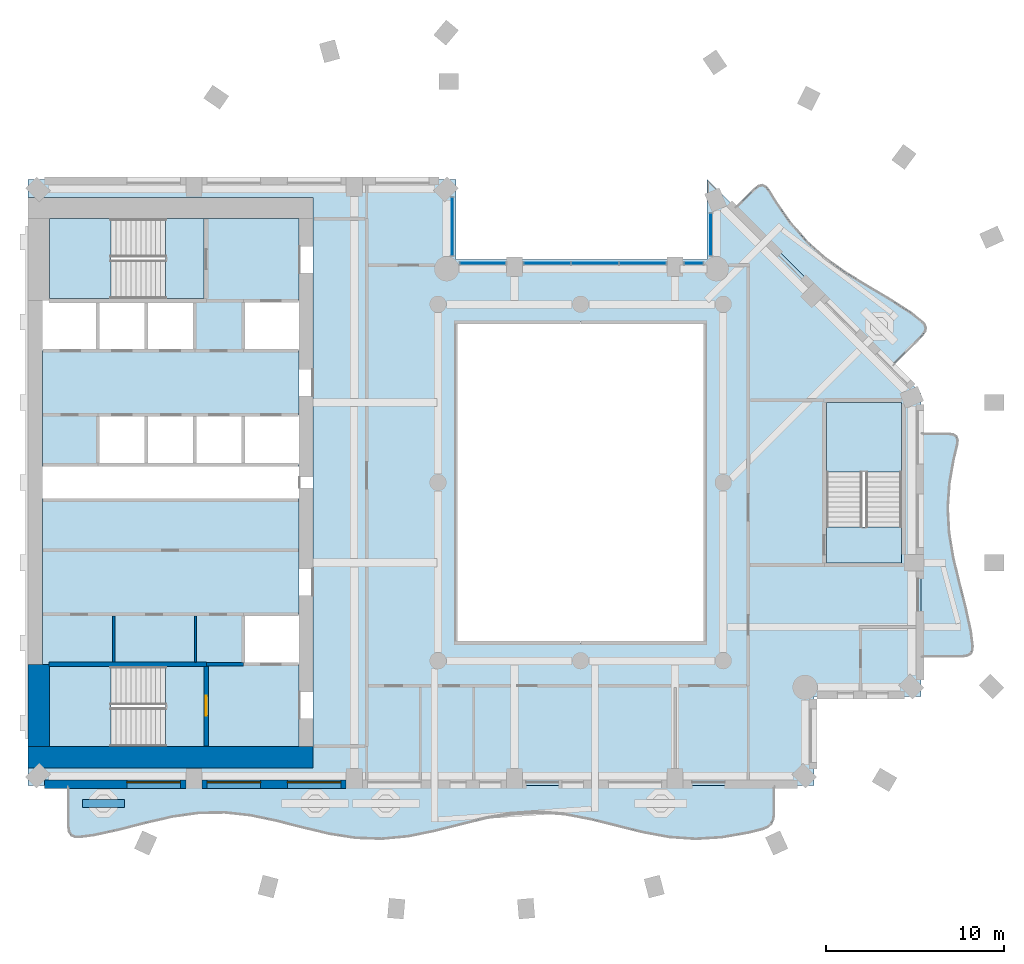
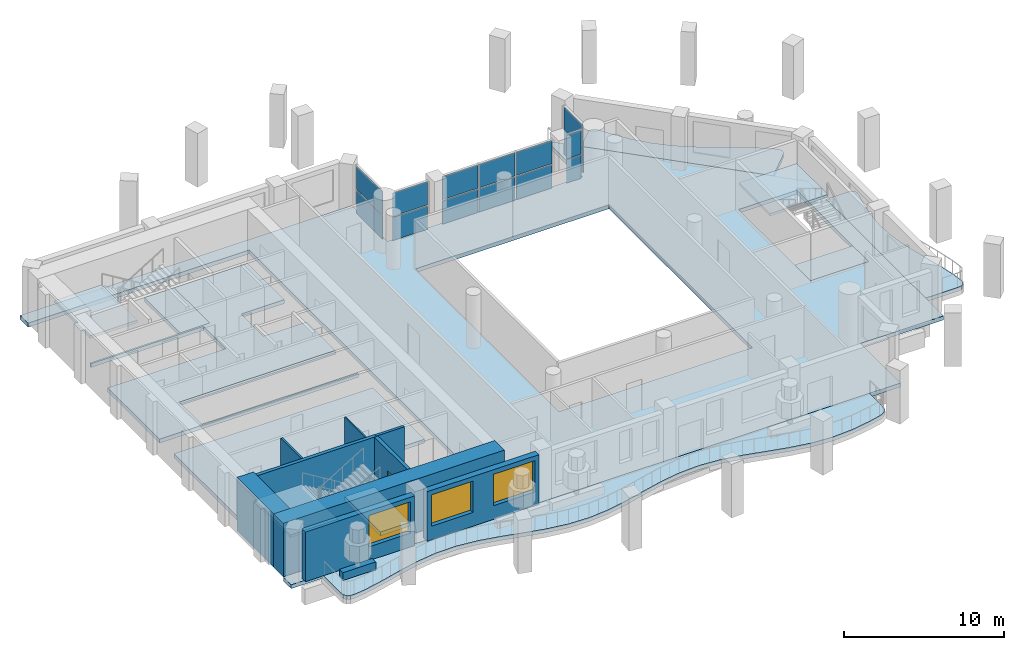
# One storey, part 3 of 14: 14 plates, 12 slabs, 10 walls, 3 windows, 1 door, 4 openings, 8 elements without a shape of their own.
"""IFC4 building model written with IfcOpenShell, lengths in metres."""

from ifc_helpers import new_model, si_unit, direction, frame, frame_2d, origin, origin_2d, place, context, subcontext, project, spatial, polyline, rectangle, outline, extrude, material, layer, layer_set, type_object, element, fill, aggregate, save


model = new_model("IFC4")

# Units and contexts
model_context = context("Model", 3, precision=1e-05, world=origin(), true_north=direction((0.0, 1.0)))
body_context = subcontext(model_context, "Body", "Model", "MODEL_VIEW")
ifc_project = project(units=[si_unit("LENGTHUNIT", "METRE"), si_unit("AREAUNIT", "SQUARE_METRE"), si_unit("VOLUMEUNIT", "CUBIC_METRE"), si_unit("PLANEANGLEUNIT", "RADIAN"), si_unit("MASSUNIT", "GRAM", prefix="KILO")], contexts=[model_context])

# Site, building, storey
site_placement = place(None, origin())
site = spatial("IfcSite", under=ifc_project, at=site_placement, CompositionType="ELEMENT")
building_placement = place(site_placement, origin())
building = spatial("IfcBuilding", under=site, at=building_placement, Name="Cypress Arch Tower", CompositionType="ELEMENT")
storey_placement = place(building_placement, frame((0.0, 0.0, 222.0)))
storey = spatial("IfcBuildingStorey", under=building, at=storey_placement, Name="L49", CompositionType="ELEMENT", Elevation=222.0)

# Slabs
ifc_material_1 = material(Name="Concrete C40/50", Category="concrete")
ifc_layer_1 = layer(ifc_material_1, 0.300048828125)
ifc_layer_set_1 = layer_set([ifc_layer_1], Name="Balcony slab BS300")
slab_type_1 = type_object("IfcSlabType", Name="Balcony slab BS300", PredefinedType="USERDEFINED", material=ifc_layer_set_1)
slab_1_placement = place(storey_placement, frame((0.0, 0.0, -0.300048828125)))
element("IfcSlab", 1, at=slab_1_placement, inside=storey, type_object=slab_type_1, Name="Balcony slab L49-B01", ObjectType="BALCONY SLAB", PredefinedType="USERDEFINED", context=body_context, shape_type="SweptSolid", body=[
    extrude(outline(polyline([(-27.75, -17.0), (-27.75, -19.3037109375), (-27.708740234375, -19.589599609375), (-27.5849609375, -19.78173828125), (-27.378662109375, -19.880126953125), (-27.090087890625, -19.884765625), (-26.283447265625, -19.78173828125), (-24.816650390625, -19.45751953125), (-23.35009765625, -19.0791015625), (-21.88330078125, -18.744140625), (-20.416748046875, -18.537841796875), (-18.949951171875, -18.513671875), (-17.4833984375, -18.677734375), (-16.0166015625, -18.987548828125), (-14.550048828125, -19.3642578125), (-13.083251953125, -19.710693359375), (-11.61669921875, -19.9384765625), (-10.14990234375, -19.989013671875), (-8.683349609375, -19.849365234375), (-7.216552734375, -19.55517578125), (-5.75, -19.18212890625), (-4.283447265625, -18.825927734375), (-2.816650390625, -18.57763671875), (-1.35009765625, -18.5009765625), (0.11669921875, -18.615966796875), (1.583251953125, -18.892578125), (3.050048828125, -19.26025390625), (4.5166015625, -19.624755859375), (5.9833984375, -19.892333984375), (7.449951171875, -19.994384765625), (8.916748046875, -19.905029296875), (10.38330078125, -19.64697265625), (11.18994140625, -19.44873046875), (11.478759765625, -19.335205078125), (11.68505859375, -19.156982421875), (11.808837890625, -18.914306640625), (11.85009765625, -18.606689453125), (11.85009765625, -17.0), (-27.75, -17.0)])), origin(), (0.0, 0.0, 1.0), 0.300048828125),
])
slab_2_placement = place(storey_placement, frame((0.0, 0.0, -0.300048828125)))
element("IfcSlab", 2, at=slab_2_placement, inside=storey, type_object=slab_type_1, Name="Balcony slab L49-B04", ObjectType="BALCONY SLAB", PredefinedType="USERDEFINED", context=body_context, shape_type="SweptSolid", body=[
    extrude(outline(polyline([(20.10009765625, -9.75), (22.439208984375, -9.75), (22.7099609375, -9.7109375), (22.89208984375, -9.59375), (22.98583984375, -9.3984375), (22.9912109375, -9.125), (22.895751953125, -8.361083984375), (22.595947265625, -6.97216796875), (22.239013671875, -5.583251953125), (21.906982421875, -4.1943359375), (21.67626953125, -2.8056640625), (21.600341796875, -1.416748046875), (21.696533203125, -0.02783203125), (21.942626953125, 1.361083984375), (22.12939453125, 2.125), (22.156005859375, 2.3984375), (22.0830078125, 2.59375), (21.91064453125, 2.7109375), (21.638671875, 2.75), (20.10009765625, 2.75), (20.10009765625, -9.75)])), origin(), (0.0, 0.0, 1.0), 0.300048828125),
])
slab_3_placement = place(storey_placement, frame((0.0, 0.0, -0.300048828125)))
element("IfcSlab", 3, at=slab_3_placement, inside=storey, type_object=slab_type_1, Name="Balcony slab L49-B05", ObjectType="BALCONY SLAB", PredefinedType="USERDEFINED", context=body_context, shape_type="SweptSolid", body=[
    extrude(outline(polyline([(18.509033203125, 6.591064453125), (20.1640625, 8.24609375), (20.32763671875, 8.464599609375), (20.37353515625, 8.67578125), (20.3017578125, 8.8798828125), (20.112548828125, 9.076416015625), (19.506591796875, 9.548095703125), (18.315673828125, 10.316650390625), (17.083984375, 11.044677734375), (15.869384765625, 11.789794921875), (14.72607421875, 12.605712890625), (13.691162109375, 13.530517578125), (12.77734375, 14.576416015625), (11.9697265625, 15.728271484375), (11.56201171875, 16.3984375), (11.387939453125, 16.60986328125), (11.198486328125, 16.696044921875), (10.994140625, 16.656982421875), (10.77490234375, 16.492919921875), (9.69091796875, 15.408935546875), (18.509033203125, 6.591064453125)])), origin(), (0.0, 0.0, 1.0), 0.300048828125),
])
ifc_material_2 = material(Name="Concrete C40/50", Category="concrete")
ifc_layer_2 = layer(ifc_material_2, 0.300048828125)
ifc_layer_set_2 = layer_set([ifc_layer_2], Name="Core floor CF300")
slab_type_2 = type_object("IfcSlabType", Name="Core floor CF300", PredefinedType="FLOOR", material=ifc_layer_set_2)
slab_4_placement = place(storey_placement, frame((0.0, 0.0, -0.300048828125)))
element("IfcSlab", 4, at=slab_4_placement, inside=storey, type_object=slab_type_2, Name="Core floor", PredefinedType="FLOOR", context=body_context, shape_type="SweptSolid", body=[
    extrude(outline(polyline([(-28.800048828125, -10.199951171875), (-29.199951171875, -10.199951171875), (-29.199951171875, -0.89990234375), (-15.199951171875, -0.89990234375), (-14.800048828125, -0.89990234375), (-14.800048828125, -7.39990234375), (-15.199951171875, -7.39990234375), (-17.919921875, -7.39990234375), (-17.919921875, -10.199951171875), (-15.199951171875, -10.199951171875), (-14.800048828125, -10.199951171875), (-14.800048828125, -14.800048828125), (-15.199951171875, -14.800048828125), (-20.125, -14.800048828125), (-20.125, -10.324951171875), (-22.27490234375, -10.324951171875), (-28.800048828125, -10.324951171875), (-28.800048828125, -10.199951171875)])), origin(), (0.0, 0.0, 1.0), 0.300048828125),
])
slab_5_placement = place(storey_placement, frame((0.0, 0.0, -0.300048828125)))
element("IfcSlab", 5, at=slab_5_placement, inside=storey, type_object=slab_type_2, Name="Core floor", PredefinedType="FLOOR", context=body_context, shape_type="SweptSolid", body=[
    extrude(outline(polyline([(-22.27490234375, -10.324951171875), (-22.27490234375, -14.800048828125), (-20.125, -14.800048828125), (-20.125, -10.324951171875), (-22.27490234375, -10.324951171875)])), origin(), (0.0, 0.0, 1.0), 0.300048828125),
])
slab_6_placement = place(storey_placement, frame((0.0, 0.0, -0.300048828125)))
element("IfcSlab", 6, at=slab_6_placement, inside=storey, type_object=slab_type_2, Name="Core floor", PredefinedType="FLOOR", context=body_context, shape_type="SweptSolid", body=[
    extrude(outline(polyline([(-20.125, 14.800048828125), (-22.27490234375, 14.800048828125), (-22.27490234375, 10.324951171875), (-20.125, 10.324951171875), (-20.125, 14.800048828125)])), origin(), (0.0, 0.0, 1.0), 0.300048828125),
])
slab_7_placement = place(storey_placement, frame((0.0, 0.0, -0.300048828125)))
element("IfcSlab", 7, at=slab_7_placement, inside=storey, type_object=slab_type_2, Name="Stair floor landing", PredefinedType="FLOOR", context=body_context, shape_type="SweptSolid", body=[
    extrude(outline(polyline([(19.0, -4.5), (19.0, -2.5), (14.800048828125, -2.5), (14.800048828125, -4.5), (19.0, -4.5)])), origin(), (0.0, 0.0, 1.0), 0.300048828125),
])
slab_8_placement = place(storey_placement, frame((0.0, 0.0, -0.300048828125)))
element("IfcSlab", 8, at=slab_8_placement, inside=storey, type_object=slab_type_2, Name="Core floor", PredefinedType="FLOOR", context=body_context, shape_type="SweptSolid", body=[
    extrude(outline(polyline([(-20.639892578125, 7.39990234375), (-20.639892578125, 10.199951171875), (-23.360107421875, 10.199951171875), (-26.080078125, 10.199951171875), (-28.800048828125, 10.199951171875), (-28.800048828125, 10.324951171875), (-22.27490234375, 10.324951171875), (-20.125, 10.324951171875), (-20.125, 14.800048828125), (-15.199951171875, 14.800048828125), (-14.800048828125, 14.800048828125), (-14.800048828125, 10.199951171875), (-15.199951171875, 10.199951171875), (-17.919921875, 10.199951171875), (-17.919921875, 7.39990234375), (-15.199951171875, 7.39990234375), (-14.800048828125, 7.39990234375), (-14.800048828125, 3.800048828125), (-15.199951171875, 3.800048828125), (-17.919921875, 3.800048828125), (-20.639892578125, 3.800048828125), (-23.360107421875, 3.800048828125), (-26.080078125, 3.800048828125), (-26.080078125, 1.5), (-26.080078125, 1.5), (-26.080078125, 1.0), (-25.679931640625, 1.0), (-23.360107421875, 1.0), (-20.639892578125, 1.0), (-17.919921875, 1.0), (-15.199951171875, 1.0), (-14.800048828125, 1.0), (-14.800048828125, 0.89990234375), (-15.199951171875, 0.89990234375), (-25.679931640625, 0.89990234375), (-26.47998046875, 0.89990234375), (-29.199951171875, 0.89990234375), (-29.199951171875, 1.5), (-29.199951171875, 7.39990234375), (-26.080078125, 7.39990234375), (-23.360107421875, 7.39990234375), (-20.639892578125, 7.39990234375)])), origin(), (0.0, 0.0, 1.0), 0.300048828125),
])

# Curtain wall, plates
ifc_material_3 = material(Name="Anodised aluminium, bronze finish, clear laminated double glazing", Category="aluminium")
curtain_wall_type = type_object("IfcCurtainWallType", Name="Curtain wall CW7 slot glazing", PredefinedType="NOTDEFINED", material=ifc_material_3)
curtain_wall_1_placement = place(storey_placement, origin())
curtain_wall_1 = element("IfcCurtainWall", 9, at=curtain_wall_1_placement, inside=storey, type_object=curtain_wall_type, Name="Curtain wall L49 slot B06.0", PredefinedType="NOTDEFINED")
ifc_material_4 = material(Name="Clear laminated double glazing", Category="glass")
ifc_layer_3 = layer(ifc_material_4, 0.0439453125)
ifc_layer_set_3 = layer_set([ifc_layer_3], Name="Glass panel CW7 44")
plate_type = type_object("IfcPlateType", Name="Glass panel CW7 44", PredefinedType="CURTAIN_PANEL", material=ifc_layer_set_3)
plate_1_placement = place(storey_placement, frame((8.300048828125, 13.912353515625, 0.0849609375), z_axis=(0.0, 0.0, 1.0), x_axis=(0.0, -1.0, 0.0)))
plate_1 = element("IfcPlate", 10, at=plate_1_placement, type_object=plate_type, Name="CW7 panel 1.1", PredefinedType="CURTAIN_PANEL", context=body_context, shape_type="SweptSolid", body=[
    extrude(rectangle(XDim=2.345458984375, YDim=0.0439453125, at=origin_2d()), origin(), (0.0, 0.0, 1.0), 1.7724609375),
])
plate_2_placement = place(storey_placement, frame((8.300048828125, 13.912353515625, 1.942626953125), z_axis=(0.0, 0.0, 1.0), x_axis=(0.0, -1.0, 0.0)))
plate_2 = element("IfcPlate", 11, at=plate_2_placement, type_object=plate_type, Name="CW7 panel 1.2", PredefinedType="CURTAIN_PANEL", context=body_context, shape_type="SweptSolid", body=[
    extrude(rectangle(XDim=2.345458984375, YDim=0.0439453125, at=origin_2d()), origin(), (0.0, 0.0, 1.0), 1.7724609375),
])
aggregate(curtain_wall_1, [plate_1, plate_2])

curtain_wall_2_placement = place(storey_placement, origin())
curtain_wall_2 = element("IfcCurtainWall", 12, at=curtain_wall_2_placement, inside=storey, type_object=curtain_wall_type, Name="Curtain wall L49 slot B07.0", PredefinedType="NOTDEFINED")
plate_3_placement = place(storey_placement, frame((7.34765625, 12.300048828125, 0.0849609375), z_axis=(0.0, 0.0, 1.0), x_axis=(-1.0, 0.0, 0.0)))
plate_3 = element("IfcPlate", 13, at=plate_3_placement, type_object=plate_type, Name="CW7 panel 1.1", PredefinedType="CURTAIN_PANEL", context=body_context, shape_type="SweptSolid", body=[
    extrude(rectangle(XDim=1.025390625, YDim=0.0439453125, at=origin_2d()), origin(), (0.0, 0.0, 1.0), 1.7724609375),
])
plate_4_placement = place(storey_placement, frame((7.34765625, 12.300048828125, 1.942626953125), z_axis=(0.0, 0.0, 1.0), x_axis=(-1.0, 0.0, 0.0)))
plate_4 = element("IfcPlate", 14, at=plate_4_placement, type_object=plate_type, Name="CW7 panel 1.2", PredefinedType="CURTAIN_PANEL", context=body_context, shape_type="SweptSolid", body=[
    extrude(rectangle(XDim=1.025390625, YDim=0.0439453125, at=origin_2d()), origin(), (0.0, 0.0, 1.0), 1.7724609375),
])
aggregate(curtain_wall_2, [plate_3, plate_4])

curtain_wall_3_placement = place(storey_placement, origin())
curtain_wall_3 = element("IfcCurtainWall", 15, at=curtain_wall_3_placement, inside=storey, type_object=curtain_wall_type, Name="Curtain wall L49 slot B07.1", PredefinedType="NOTDEFINED")
plate_5_placement = place(storey_placement, frame((4.478759765625, 12.300048828125, 0.0849609375), z_axis=(0.0, 0.0, 1.0), x_axis=(-1.0, 0.0, 0.0)))
plate_5 = element("IfcPlate", 16, at=plate_5_placement, type_object=plate_type, Name="CW7 panel 1.1", PredefinedType="CURTAIN_PANEL", context=body_context, shape_type="SweptSolid", body=[
    extrude(rectangle(XDim=2.572509765625, YDim=0.0439453125, at=origin_2d()), origin(), (0.0, 0.0, 1.0), 1.7724609375),
])
plate_6_placement = place(storey_placement, frame((4.478759765625, 12.300048828125, 1.942626953125), z_axis=(0.0, 0.0, 1.0), x_axis=(-1.0, 0.0, 0.0)))
plate_6 = element("IfcPlate", 17, at=plate_6_placement, type_object=plate_type, Name="CW7 panel 1.2", PredefinedType="CURTAIN_PANEL", context=body_context, shape_type="SweptSolid", body=[
    extrude(rectangle(XDim=2.572509765625, YDim=0.0439453125, at=origin_2d()), origin(), (0.0, 0.0, 1.0), 1.7724609375),
])
plate_7_placement = place(storey_placement, frame((1.800048828125, 12.300048828125, 0.0849609375), z_axis=(0.0, 0.0, 1.0), x_axis=(-1.0, 0.0, 0.0)))
plate_7 = element("IfcPlate", 18, at=plate_7_placement, type_object=plate_type, Name="CW7 panel 2.1", PredefinedType="CURTAIN_PANEL", context=body_context, shape_type="SweptSolid", body=[
    extrude(rectangle(XDim=2.614990234375, YDim=0.0439453125, at=origin_2d()), origin(), (0.0, 0.0, 1.0), 1.7724609375),
])
plate_8_placement = place(storey_placement, frame((1.800048828125, 12.300048828125, 1.942626953125), z_axis=(0.0, 0.0, 1.0), x_axis=(-1.0, 0.0, 0.0)))
plate_8 = element("IfcPlate", 19, at=plate_8_placement, type_object=plate_type, Name="CW7 panel 2.2", PredefinedType="CURTAIN_PANEL", context=body_context, shape_type="SweptSolid", body=[
    extrude(rectangle(XDim=2.614990234375, YDim=0.0439453125, at=origin_2d()), origin(), (0.0, 0.0, 1.0), 1.7724609375),
])
plate_9_placement = place(storey_placement, frame((-0.878662109375, 12.300048828125, 0.0849609375), z_axis=(0.0, 0.0, 1.0), x_axis=(-1.0, 0.0, 0.0)))
plate_9 = element("IfcPlate", 20, at=plate_9_placement, type_object=plate_type, Name="CW7 panel 3.1", PredefinedType="CURTAIN_PANEL", context=body_context, shape_type="SweptSolid", body=[
    extrude(rectangle(XDim=2.572509765625, YDim=0.0439453125, at=origin_2d()), origin(), (0.0, 0.0, 1.0), 1.7724609375),
])
plate_10_placement = place(storey_placement, frame((-0.878662109375, 12.300048828125, 1.942626953125), z_axis=(0.0, 0.0, 1.0), x_axis=(-1.0, 0.0, 0.0)))
plate_10 = element("IfcPlate", 21, at=plate_10_placement, type_object=plate_type, Name="CW7 panel 3.2", PredefinedType="CURTAIN_PANEL", context=body_context, shape_type="SweptSolid", body=[
    extrude(rectangle(XDim=2.572509765625, YDim=0.0439453125, at=origin_2d()), origin(), (0.0, 0.0, 1.0), 1.7724609375),
])
aggregate(curtain_wall_3, [plate_5, plate_6, plate_7, plate_8, plate_9, plate_10])

curtain_wall_4_placement = place(storey_placement, origin())
curtain_wall_4 = element("IfcCurtainWall", 22, at=curtain_wall_4_placement, inside=storey, type_object=curtain_wall_type, Name="Curtain wall L49 slot B07.2", PredefinedType="NOTDEFINED")
plate_11_placement = place(storey_placement, frame((-4.497802734375, 12.300048828125, 0.0849609375), z_axis=(0.0, 0.0, 1.0), x_axis=(-1.0, 0.0, 0.0)))
plate_11 = element("IfcPlate", 23, at=plate_11_placement, type_object=plate_type, Name="CW7 panel 1.1", PredefinedType="CURTAIN_PANEL", context=body_context, shape_type="SweptSolid", body=[
    extrude(rectangle(XDim=2.525390625, YDim=0.0439453125, at=origin_2d()), origin(), (0.0, 0.0, 1.0), 1.7724609375),
])
plate_12_placement = place(storey_placement, frame((-4.497802734375, 12.300048828125, 1.942626953125), z_axis=(0.0, 0.0, 1.0), x_axis=(-1.0, 0.0, 0.0)))
plate_12 = element("IfcPlate", 24, at=plate_12_placement, type_object=plate_type, Name="CW7 panel 1.2", PredefinedType="CURTAIN_PANEL", context=body_context, shape_type="SweptSolid", body=[
    extrude(rectangle(XDim=2.525390625, YDim=0.0439453125, at=origin_2d()), origin(), (0.0, 0.0, 1.0), 1.7724609375),
])
aggregate(curtain_wall_4, [plate_11, plate_12])

curtain_wall_5_placement = place(storey_placement, origin())
curtain_wall_5 = element("IfcCurtainWall", 25, at=curtain_wall_5_placement, inside=storey, type_object=curtain_wall_type, Name="Curtain wall L49 slot B08.0", PredefinedType="NOTDEFINED")
plate_13_placement = place(storey_placement, frame((-6.199951171875, 14.359130859375, 0.0849609375), z_axis=(0.0, 0.0, 1.0), x_axis=(0.0, 1.0, 0.0)))
plate_13 = element("IfcPlate", 26, at=plate_13_placement, type_object=plate_type, Name="CW7 panel 1.1", PredefinedType="CURTAIN_PANEL", context=body_context, shape_type="SweptSolid", body=[
    extrude(rectangle(XDim=3.239013671875, YDim=0.0439453125, at=origin_2d()), origin(), (0.0, 0.0, 1.0), 1.7724609375),
])
plate_14_placement = place(storey_placement, frame((-6.199951171875, 14.359130859375, 1.942626953125), z_axis=(0.0, 0.0, 1.0), x_axis=(0.0, 1.0, 0.0)))
plate_14 = element("IfcPlate", 27, at=plate_14_placement, type_object=plate_type, Name="CW7 panel 1.2", PredefinedType="CURTAIN_PANEL", context=body_context, shape_type="SweptSolid", body=[
    extrude(rectangle(XDim=3.239013671875, YDim=0.0439453125, at=origin_2d()), origin(), (0.0, 0.0, 1.0), 1.7724609375),
])
aggregate(curtain_wall_5, [plate_13, plate_14])

# Slab
ifc_material_5 = material(Name="Concrete C40/50", Category="concrete")
ifc_layer_4 = layer(ifc_material_5, 0.300048828125)
ifc_layer_set_4 = layer_set([ifc_layer_4], Name="PT flat slab 300 Concrete C40/50")
slab_type_3 = type_object("IfcSlabType", Name="PT flat slab 300 Concrete C40/50", PredefinedType="FLOOR", material=ifc_layer_set_4)
slab_9_placement = place(storey_placement, frame((0.0, 0.0, -0.300048828125)))
element("IfcSlab", 28, at=slab_9_placement, inside=storey, type_object=slab_type_3, Name="Floor slab L49", PredefinedType="FLOOR", context=body_context, shape_type="SweptSolid", body=[
    extrude(outline(polyline([(-30.0, 17.0), (-6.0, 17.0), (-6.0, 12.5), (8.10009765625, 12.5), (8.10009765625, 17.0), (20.10009765625, 5.0), (20.10009765625, -12.0), (14.10009765625, -12.0), (14.10009765625, -17.0), (-30.0, -17.0), (-30.0, -16.0), (-14.0, -16.0), (-14.0, 16.0), (-30.0, 16.0), (-30.0, 17.0)]), holes=[polyline([(-6.0, -9.0), (8.0, -9.0), (8.0, 9.0), (-6.0, 9.0), (-6.0, -9.0)]), polyline([(14.800048828125, -4.5), (19.0, -4.5), (19.0, 4.5), (14.800048828125, 4.5), (14.800048828125, -4.5)])]), origin(), (0.0, 0.0, 1.0), 0.300048828125),
])

# Stair, slab
ifc_material_6 = material(Name="Concrete C40/50", Category="concrete")
stair_type_1 = type_object("IfcStairType", Name="Exit stair ES1708-215", PredefinedType="HALF_TURN_STAIR", material=ifc_material_6)
stair_1_placement = place(storey_placement, origin())
stair_1 = element("IfcStair", 29, at=stair_1_placement, inside=storey, type_object=stair_type_1, Name="L49 Exit stair A", PredefinedType="HALF_TURN_STAIR")
ifc_material_7 = material(Name="Concrete C40/50", Category="concrete")
ifc_layer_5 = layer(ifc_material_7, 0.199951171875)
ifc_layer_set_5 = layer_set([ifc_layer_5], Name="Stair landing SL200")
slab_type_4 = type_object("IfcSlabType", Name="Stair landing SL200", PredefinedType="LANDING", material=ifc_layer_set_5)
slab_10_placement = place(storey_placement, frame((0.0, 0.0, 1.85009765625)))
slab_10 = element("IfcSlab", 30, at=slab_10_placement, type_object=slab_type_4, Name="A landing 1", PredefinedType="LANDING", context=body_context, shape_type="SweptSolid", body=[
    extrude(outline(polyline([(-25.35498046875, -10.324951171875), (-28.800048828125, -10.324951171875), (-28.800048828125, -14.800048828125), (-25.35498046875, -14.800048828125), (-25.35498046875, -10.324951171875)])), origin(), (0.0, 0.0, 1.0), 0.199951171875),
])
aggregate(stair_1, [slab_10])

stair_2_placement = place(storey_placement, origin())
stair_2 = element("IfcStair", 31, at=stair_2_placement, inside=storey, type_object=stair_type_1, Name="L49 Exit stair B", PredefinedType="HALF_TURN_STAIR")
slab_11_placement = place(storey_placement, frame((0.0, 0.0, 1.85009765625)))
slab_11 = element("IfcSlab", 32, at=slab_11_placement, type_object=slab_type_4, Name="B landing 1", PredefinedType="LANDING", context=body_context, shape_type="SweptSolid", body=[
    extrude(outline(polyline([(-25.35498046875, 14.800048828125), (-28.800048828125, 14.800048828125), (-28.800048828125, 10.324951171875), (-25.35498046875, 10.324951171875), (-25.35498046875, 14.800048828125)])), origin(), (0.0, 0.0, 1.0), 0.199951171875),
])
aggregate(stair_2, [slab_11])

ifc_material_8 = material(Name="Concrete C40/50", Category="concrete")
stair_type_2 = type_object("IfcStairType", Name="Exit stair ES1708-200", PredefinedType="HALF_TURN_STAIR", material=ifc_material_8)
stair_3_placement = place(storey_placement, origin())
stair_3 = element("IfcStair", 33, at=stair_3_placement, inside=storey, type_object=stair_type_2, Name="L49 Exit stair C", PredefinedType="HALF_TURN_STAIR")
slab_12_placement = place(storey_placement, frame((0.0, 0.0, 1.85009765625)))
slab_12 = element("IfcSlab", 34, at=slab_12_placement, type_object=slab_type_4, Name="C landing 1", PredefinedType="LANDING", context=body_context, shape_type="SweptSolid", body=[
    extrude(outline(polyline([(19.0, 0.580078125), (19.0, 4.5), (14.800048828125, 4.5), (14.800048828125, 0.580078125), (19.0, 0.580078125)])), origin(), (0.0, 0.0, 1.0), 0.199951171875),
])
aggregate(stair_3, [slab_12])

# Wall
ifc_material_9 = material(Name="Concrete C40/50, waterproofed", Category="concrete")
ifc_layer_6 = layer(ifc_material_9, 0.449951171875)
ifc_layer_set_6 = layer_set([ifc_layer_6], Name="Balcony planter wall PW450")
wall_type_1 = type_object("IfcWallType", Name="Balcony planter wall PW450", PredefinedType="SOLIDWALL", material=ifc_layer_set_6)
wall_1_placement = place(storey_placement, frame((-26.949951171875, -18.0, 0.0), z_axis=(0.0, 0.0, 1.0), x_axis=(1.0, 0.0, 0.0)))
element("IfcWall", 35, at=wall_1_placement, inside=storey, type_object=wall_type_1, Name="Balcony planter wall L49-B01.1", PredefinedType="SOLIDWALL", context=body_context, shape_type="SweptSolid", body=[
    extrude(rectangle(XDim=2.35986328125, YDim=0.449951171875, at=frame_2d((1.179931640625, 0.0))), origin(), (0.0, 0.0, 1.0), 0.60009765625),
])

# Wall, opening, window
ifc_material_10 = material(Name="Brick (red buff blend)", Category="masonry")
ifc_layer_7 = layer(ifc_material_10, 0.449951171875)
ifc_layer_set_7 = layer_set([ifc_layer_7], Name="Brick pier and spandrel wall BW450")
wall_type_2 = type_object("IfcWallType", Name="Brick pier and spandrel wall BW450", PredefinedType="SOLIDWALL", material=ifc_layer_set_7)
wall_2_placement = place(storey_placement, frame((-29.063720703125, -16.925048828125, 0.0), z_axis=(0.0, 0.0, 1.0), x_axis=(1.0, 0.0, 0.0)))
wall_2 = element("IfcWall", 36, at=wall_2_placement, inside=storey, type_object=wall_type_2, Name="Brick wall L49 B01.0", PredefinedType="SOLIDWALL", context=body_context, shape_type="SweptSolid", body=[
    extrude(rectangle(XDim=7.913818359375, YDim=0.449951171875, at=frame_2d((3.95703125, 0.0))), origin(), (0.0, 0.0, 1.0), 3.800048828125),
])
opening_1_placement = place(wall_2_placement, frame((4.613525390625, 0.0, 1.050048828125)))
opening_1 = element("IfcOpeningElement", 37, at=opening_1_placement, cuts=wall_2, Name="Opening W300OD", PredefinedType="OPENING", context=body_context, shape_type="SweptSolid", body=[
    extrude(rectangle(XDim=3.0, YDim=2.39990234375, at=frame_2d((1.5, 1.199951171875))), frame((0.0, 0.23486328125, 0.0), z_axis=(0.0, -1.0, 0.0), x_axis=(1.0, 0.0, 0.0)), (0.0, 0.0, 1.0), 0.469970703125),
])
ifc_material_11 = material(Name="Anodised aluminium, bronze finish, laminated low-emissivity double glazing, large-missile impact rated", Category="aluminium")
window_type = type_object("IfcWindowType", Name="Window Office 3000x2400 debris-rated", PartitioningType="SINGLE_PANEL", PredefinedType="WINDOW", material=ifc_material_11)
window_1_placement = place(opening_1_placement, origin())
window_1 = element("IfcWindow", 38, at=window_1_placement, inside=storey, type_object=window_type, Name="Window L49 B01.0.2", OverallHeight=2.39990234375, OverallWidth=3.0, PartitioningType="SINGLE_PANEL", PredefinedType="WINDOW", context=body_context, shape_type="SweptSolid", body=[
    extrude(rectangle(XDim=3.0, YDim=2.39990234375, at=frame_2d((1.5, 1.199951171875))), frame((0.0, 0.135009765625, 0.0), z_axis=(0.0, -1.0, 0.0), x_axis=(1.0, 0.0, 0.0)), (0.0, 0.0, 1.0), 0.06005859375),
])
fill(opening_1, window_1)

# Wall, openings, windows
wall_3_placement = place(storey_placement, frame((-20.25, -16.925048828125, 0.0), z_axis=(0.0, 0.0, 1.0), x_axis=(1.0, 0.0, 0.0)))
wall_3 = element("IfcWall", 39, at=wall_3_placement, inside=storey, type_object=wall_type_2, Name="Brick wall L49 B01.1", PredefinedType="SOLIDWALL", context=body_context, shape_type="SweptSolid", body=[
    extrude(rectangle(XDim=8.10009765625, YDim=0.449951171875, at=frame_2d((4.050048828125, 0.0))), origin(), (0.0, 0.0, 1.0), 3.800048828125),
])
opening_2_placement = place(wall_3_placement, frame((0.300048828125, 0.0, 1.050048828125)))
opening_2 = element("IfcOpeningElement", 40, at=opening_2_placement, cuts=wall_3, Name="Opening W300OD", PredefinedType="OPENING", context=body_context, shape_type="SweptSolid", body=[
    extrude(rectangle(XDim=3.0, YDim=2.39990234375, at=frame_2d((1.5, 1.199951171875))), frame((0.0, 0.23486328125, 0.0), z_axis=(0.0, -1.0, 0.0), x_axis=(1.0, 0.0, 0.0)), (0.0, 0.0, 1.0), 0.469970703125),
])
opening_3_placement = place(wall_3_placement, frame((4.800048828125, 0.0, 1.050048828125)))
opening_3 = element("IfcOpeningElement", 41, at=opening_3_placement, cuts=wall_3, Name="Opening W300OD", PredefinedType="OPENING", context=body_context, shape_type="SweptSolid", body=[
    extrude(rectangle(XDim=3.0, YDim=2.39990234375, at=frame_2d((1.5, 1.199951171875))), frame((0.0, 0.23486328125, 0.0), z_axis=(0.0, -1.0, 0.0), x_axis=(1.0, 0.0, 0.0)), (0.0, 0.0, 1.0), 0.469970703125),
])
window_2_placement = place(opening_2_placement, origin())
window_2 = element("IfcWindow", 42, at=window_2_placement, inside=storey, type_object=window_type, Name="Window L49 B01.1.1", OverallHeight=2.39990234375, OverallWidth=3.0, PartitioningType="SINGLE_PANEL", PredefinedType="WINDOW", context=body_context, shape_type="SweptSolid", body=[
    extrude(rectangle(XDim=3.0, YDim=2.39990234375, at=frame_2d((1.5, 1.199951171875))), frame((0.0, 0.135009765625, 0.0), z_axis=(0.0, -1.0, 0.0), x_axis=(1.0, 0.0, 0.0)), (0.0, 0.0, 1.0), 0.06005859375),
])
fill(opening_2, window_2)
window_3_placement = place(opening_3_placement, origin())
window_3 = element("IfcWindow", 43, at=window_3_placement, inside=storey, type_object=window_type, Name="Window L49 B01.1.2", OverallHeight=2.39990234375, OverallWidth=3.0, PartitioningType="SINGLE_PANEL", PredefinedType="WINDOW", context=body_context, shape_type="SweptSolid", body=[
    extrude(rectangle(XDim=3.0, YDim=2.39990234375, at=frame_2d((1.5, 1.199951171875))), frame((0.0, 0.135009765625, 0.0), z_axis=(0.0, -1.0, 0.0), x_axis=(1.0, 0.0, 0.0)), (0.0, 0.0, 1.0), 0.06005859375),
])
fill(opening_3, window_3)

# Walls
ifc_material_12 = material(Name="Concrete C70/85", Category="concrete")
ifc_layer_8 = layer(ifc_material_12, 1.199951171875)
ifc_layer_set_8 = layer_set([ifc_layer_8], Name="Core wall CW1200 C70/85")
wall_type_3 = type_object("IfcWallType", Name="Core wall CW1200 C70/85", PredefinedType="SHEAR", material=ifc_layer_set_8)
wall_4_placement = place(storey_placement, frame((-30.0, -15.39990234375, 0.0), z_axis=(0.0, 0.0, 1.0), x_axis=(1.0, 0.0, 0.0)))
element("IfcWall", 44, at=wall_4_placement, inside=storey, type_object=wall_type_3, Name="Core wall", PredefinedType="SHEAR", context=body_context, shape_type="SweptSolid", body=[
    extrude(rectangle(XDim=16.0, YDim=1.199951171875, at=frame_2d((8.0, 0.0))), origin(), (0.0, 0.0, 1.0), 4.10009765625),
])
wall_5_placement = place(storey_placement, frame((-29.39990234375, -14.800048828125, 0.0), z_axis=(0.0, 0.0, 1.0), x_axis=(0.0, 1.0, 0.0)))
element("IfcWall", 45, at=wall_5_placement, inside=storey, type_object=wall_type_3, Name="Core wall", PredefinedType="SHEAR", context=body_context, shape_type="SweptSolid", body=[
    extrude(rectangle(XDim=4.60009765625, YDim=1.199951171875, at=frame_2d((2.300048828125, 0.0))), origin(), (0.0, 0.0, 1.0), 4.10009765625),
])
ifc_material_13 = material(Name="Concrete blockwork, plastered, rated", Category="masonry")
ifc_layer_9 = layer(ifc_material_13, 0.199951171875)
ifc_layer_set_9 = layer_set([ifc_layer_9], Name="Corridor wall FW200")
wall_type_4 = type_object("IfcWallType", Name="Corridor wall FW200", PredefinedType="PARTITIONING", material=ifc_layer_set_9)
wall_6_placement = place(storey_placement, frame((-20.0, -10.199951171875, 0.0), z_axis=(0.0, 0.0, 1.0), x_axis=(1.0, 0.0, 0.0)))
element("IfcWall", 46, at=wall_6_placement, inside=storey, type_object=wall_type_4, Name="Corridor wall", PredefinedType="PARTITIONING", context=body_context, shape_type="SweptSolid", body=[
    extrude(rectangle(XDim=2.080078125, YDim=0.199951171875, at=frame_2d((1.0400390625, 0.0))), origin(), (0.0, 0.0, 1.0), 3.800048828125),
])
ifc_material_14 = material(Name="Blockwork, plastered both sides", Category="masonry")
ifc_layer_10 = layer(ifc_material_14, 0.14990234375)
ifc_layer_set_10 = layer_set([ifc_layer_10], Name="Partition PW150")
wall_type_5 = type_object("IfcWallType", Name="Partition PW150", PredefinedType="PARTITIONING", material=ifc_layer_set_10)
wall_7_placement = place(storey_placement, frame((-25.199951171875, -10.074951171875, 0.0), z_axis=(0.0, 0.0, 1.0), x_axis=(0.0, 1.0, 0.0)))
element("IfcWall", 47, at=wall_7_placement, inside=storey, type_object=wall_type_5, Name="Partition", PredefinedType="PARTITIONING", context=body_context, shape_type="SweptSolid", body=[
    extrude(rectangle(XDim=2.574951171875, YDim=0.14990234375, at=frame_2d((1.28759765625, 0.0))), origin(), (0.0, 0.0, 1.0), 3.800048828125),
])
ifc_material_15 = material(Name="Concrete C50/60", Category="concrete")
ifc_layer_11 = layer(ifc_material_15, 0.25)
ifc_layer_set_11 = layer_set([ifc_layer_11], Name="Stair enclosure wall SW250")
wall_type_6 = type_object("IfcWallType", Name="Stair enclosure wall SW250", PredefinedType="SHEAR", material=ifc_layer_set_11)
wall_8_placement = place(storey_placement, frame((-28.81005859375, -10.199951171875, 0.0), z_axis=(0.0, 0.0, 1.0), x_axis=(1.0, 0.0, 0.0)))
element("IfcWall", 48, at=wall_8_placement, inside=storey, type_object=wall_type_6, Name="Stair enclosure wall", PredefinedType="SHEAR", context=body_context, shape_type="SweptSolid", body=[
    extrude(rectangle(XDim=8.81005859375, YDim=0.25, at=frame_2d((4.405029296875, 0.0))), origin(), (0.0, 0.0, 1.0), 3.800048828125),
])

# Wall, opening, door
wall_9_placement = place(storey_placement, frame((-20.0, -14.77001953125, 0.0), z_axis=(0.0, 0.0, 1.0), x_axis=(0.0, 1.0, 0.0)))
wall_9 = element("IfcWall", 49, at=wall_9_placement, inside=storey, type_object=wall_type_6, Name="Stair enclosure wall", PredefinedType="SHEAR", context=body_context, shape_type="SweptSolid", body=[
    extrude(rectangle(XDim=4.445068359375, YDim=0.25, at=frame_2d((2.22265625, 0.0))), origin(), (0.0, 0.0, 1.0), 3.800048828125),
])
opening_4_placement = place(wall_9_placement, frame((1.699951171875, 0.0, 0.0)))
opening_4 = element("IfcOpeningElement", 50, at=opening_4_placement, cuts=wall_9, Name="Opening D06", PredefinedType="OPENING", context=body_context, shape_type="SweptSolid", body=[
    extrude(rectangle(XDim=1.10009765625, YDim=2.199951171875, at=frame_2d((0.550048828125, 1.10009765625))), frame((0.0, 0.135009765625, 0.0), z_axis=(0.0, -1.0, 0.0), x_axis=(1.0, 0.0, 0.0)), (0.0, 0.0, 1.0), 0.27001953125),
])
ifc_material_16 = material(Name="Steel door, fire resisting, panic bar", Category="steel")
door_type = type_object("IfcDoorType", Name="Stair door D06 1100x2200", OperationType="SINGLE_SWING_LEFT", PredefinedType="DOOR", material=ifc_material_16)
door_placement = place(opening_4_placement, origin())
door = element("IfcDoor", 51, at=door_placement, inside=storey, type_object=door_type, Name="Stair door", OperationType="SINGLE_SWING_RIGHT", OverallHeight=2.199951171875, OverallWidth=1.10009765625, PredefinedType="DOOR", context=body_context, shape_type="SweptSolid", body=[
    extrude(rectangle(XDim=1.10009765625, YDim=2.199951171875, at=frame_2d((0.550048828125, 1.10009765625))), frame((0.0, 0.02490234375, 0.0), z_axis=(0.0, -1.0, 0.0), x_axis=(1.0, 0.0, 0.0)), (0.0, 0.0, 1.0), 0.050048828125),
])
fill(opening_4, door)

# Wall
ifc_material_17 = material(Name="Moisture resistant board on steel studs, tiled", Category="steel")
ifc_layer_12 = layer(ifc_material_17, 0.10009765625)
ifc_layer_set_12 = layer_set([ifc_layer_12], Name="Wet wall PW100")
wall_type_7 = type_object("IfcWallType", Name="Wet wall PW100", PredefinedType="PARTITIONING", material=ifc_layer_set_12)
wall_10_placement = place(storey_placement, frame((-20.60009765625, -10.074951171875, 0.0), z_axis=(0.0, 0.0, 1.0), x_axis=(0.0, 1.0, 0.0)))
element("IfcWall", 52, at=wall_10_placement, inside=storey, type_object=wall_type_7, Name="Wet wall", PredefinedType="PARTITIONING", context=body_context, shape_type="SweptSolid", body=[
    extrude(rectangle(XDim=2.574951171875, YDim=0.10009765625, at=frame_2d((1.28759765625, 0.0))), origin(), (0.0, 0.0, 1.0), 3.800048828125),
])

save(model, "model.ifc")
